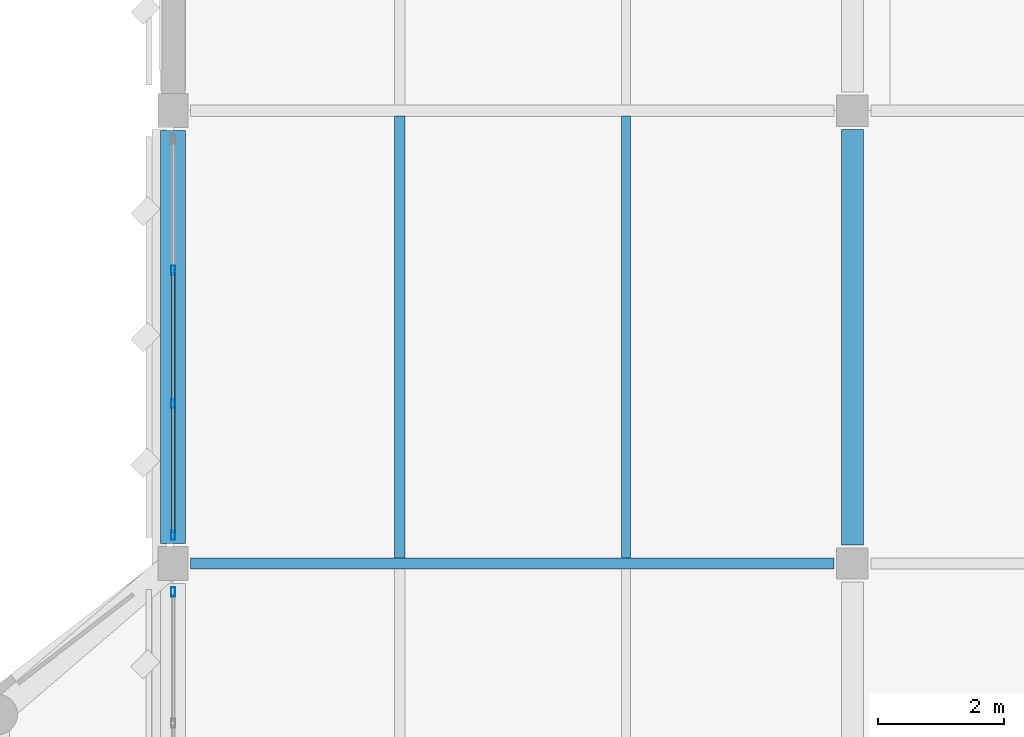
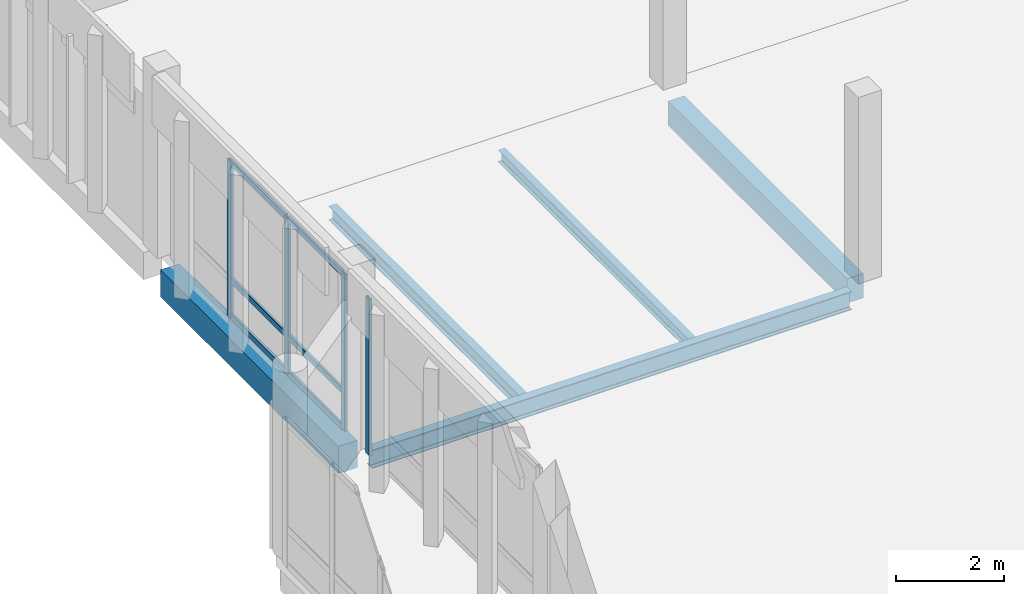
# One storey, part 15 of 72: 10 members, 5 beams, 2 elements without a shape of their own.
"""IFC4 building model written with IfcOpenShell, lengths in metres."""

from ifc_helpers import new_model, si_unit, direction, frame, origin, origin_2d, place, context, subcontext, project, spatial, rectangle, hollow_rectangle, i_section, extrude, material, material_profile, profile_set, type_object, element, aggregate, save


model = new_model("IFC4")

# Units and contexts
model_context = context("Model", 3, precision=1e-05, world=origin(), true_north=direction((0.0, 1.0)))
body_context = subcontext(model_context, "Body", "Model", "MODEL_VIEW")
ifc_project = project(units=[si_unit("LENGTHUNIT", "METRE"), si_unit("AREAUNIT", "SQUARE_METRE"), si_unit("VOLUMEUNIT", "CUBIC_METRE"), si_unit("PLANEANGLEUNIT", "RADIAN"), si_unit("MASSUNIT", "GRAM", prefix="KILO")], contexts=[model_context])

# Site, building, storey
site_placement = place(None, origin())
site = spatial("IfcSite", under=ifc_project, at=site_placement, CompositionType="ELEMENT")
building_placement = place(site_placement, origin())
building = spatial("IfcBuilding", under=site, at=building_placement, Name="Lusvemor Sports Hall", CompositionType="ELEMENT")
storey_placement = place(building_placement, frame((0.0, 0.0, 15.0)))
storey = spatial("IfcBuildingStorey", under=building, at=storey_placement, Name="L03", CompositionType="ELEMENT", Elevation=15.0)

# Beams
ifc_material_1 = material(Name="Concrete C40/50", Category="concrete")
ifc_material_profile_1 = material_profile(ifc_material_1, rectangle(XDim=0.35009765625, YDim=0.550048828125, at=origin_2d()), Name="RC350x550")
ifc_profile_set_1 = profile_set([ifc_material_profile_1], Name="Concrete C40/50")
beam_type_1 = type_object("IfcBeamType", Name="BEAM_RC_550", PredefinedType="BEAM", material=ifc_profile_set_1)
beam_1_placement = place(storey_placement, frame((10.800048828125, 90.2958984375, -0.514892578125), z_axis=(0.0, 1.0, 0.0), x_axis=(-1.0, 0.0, 0.0)))
element("IfcBeam", 1, at=beam_1_placement, inside=storey, type_object=beam_type_1, Name="Beam L03 2:M-N", PredefinedType="BEAM", context=body_context, shape_type="SweptSolid", body=[
    extrude(rectangle(XDim=0.35009765625, YDim=0.550048828125, at=origin_2d()), origin(), (0.0, 0.0, 1.0), 6.608154296875),
])
ifc_material_2 = material(Name="Steel S355", Category="steel")
ifc_material_profile_2 = material_profile(ifc_material_2, i_section(OverallWidth=0.180908203125, OverallDepth=0.4169921875, WebThickness=0.010986328125, FlangeThickness=0.018310546875, FilletRadius=0.01611328125, at=origin_2d()), Name="W410x85.0")
ifc_profile_set_2 = profile_set([ifc_material_profile_2], Name="Steel S355")
beam_type_2 = type_object("IfcBeamType", Name="BEAM_ST_410H", PredefinedType="BEAM", material=ifc_profile_set_2)
beam_2_placement = place(storey_placement, frame((0.27587890625, 90.0, -0.452392578125), z_axis=(1.0, 0.0, 0.0), x_axis=(0.0, 1.0, 0.0)))
element("IfcBeam", 2, at=beam_2_placement, inside=storey, type_object=beam_type_2, Name="Beam L03 M:1-2", PredefinedType="BEAM", context=body_context, shape_type="SweptSolid", body=[
    extrude(i_section(OverallWidth=0.180908203125, OverallDepth=0.4169921875, WebThickness=0.010986328125, FlangeThickness=0.018310546875, FilletRadius=0.01611328125, at=origin_2d()), origin(), (0.0, 0.0, 1.0), 10.22802734375),
])

# Curtain wall, member
ifc_material_3 = material(Name="Thermally broken bronze-anodized aluminium", Category="aluminium")
curtain_wall_type = type_object("IfcCurtainWallType", Name="CW_WING_B", PredefinedType="NOTDEFINED", material=ifc_material_3)
curtain_wall_1_placement = place(storey_placement, origin())
curtain_wall_1 = element("IfcCurtainWall", 3, at=curtain_wall_1_placement, inside=storey, type_object=curtain_wall_type, Name="Curtain Wall CW-L03-W-0-4", PredefinedType="NOTDEFINED")
ifc_material_4 = material(Name="Thermally broken bronze-anodized aluminium", Category="aluminium")
ifc_material_profile_3 = material_profile(ifc_material_4, hollow_rectangle(XDim=0.06494140625, YDim=0.14990234375, WallThickness=0.00390625, InnerFilletRadius=0.00390625, OuterFilletRadius=0.008056640625, at=origin_2d()), Name="CWMUL150x65x4")
ifc_profile_set_3 = profile_set([ifc_material_profile_3], Name="Thermally broken bronze-anodized aluminium")
member_type_1 = type_object("IfcMemberType", Name="CW_MUL_B", PredefinedType="MULLION", material=ifc_profile_set_3)
member_1_placement = place(storey_placement, frame((0.0, 89.547607421875, 0.0), z_axis=(0.0, 0.0, 1.0), x_axis=(-1.0, 0.0, 0.0)))
member_1 = element("IfcMember", 4, at=member_1_placement, type_object=member_type_1, Name="CW02 mullion 4", PredefinedType="MULLION", context=body_context, shape_type="SweptSolid", body=[
    extrude(hollow_rectangle(XDim=0.06494140625, YDim=0.14990234375, WallThickness=0.00390625, InnerFilletRadius=0.00390625, OuterFilletRadius=0.008056640625, at=origin_2d()), origin(), (0.0, 0.0, 1.0), 3.52001953125),
])
aggregate(curtain_wall_1, [member_1])

# Curtain wall, members
curtain_wall_2_placement = place(storey_placement, origin())
curtain_wall_2 = element("IfcCurtainWall", 5, at=curtain_wall_2_placement, inside=storey, type_object=curtain_wall_type, Name="Curtain Wall CW-L03-W-0-5", PredefinedType="NOTDEFINED")
member_2_placement = place(storey_placement, frame((0.0, 90.452392578125, 0.0), z_axis=(0.0, 0.0, 1.0), x_axis=(-1.0, 0.0, 0.0)))
member_2 = element("IfcMember", 6, at=member_2_placement, type_object=member_type_1, Name="CW02 mullion 1", PredefinedType="MULLION", context=body_context, shape_type="SweptSolid", body=[
    extrude(hollow_rectangle(XDim=0.06494140625, YDim=0.14990234375, WallThickness=0.00390625, InnerFilletRadius=0.00390625, OuterFilletRadius=0.008056640625, at=origin_2d()), origin(), (0.0, 0.0, 1.0), 3.52001953125),
])
member_3_placement = place(storey_placement, frame((0.0, 92.5400390625, 0.0), z_axis=(0.0, 0.0, 1.0), x_axis=(-1.0, 0.0, 0.0)))
member_3 = element("IfcMember", 7, at=member_3_placement, type_object=member_type_1, Name="CW02 mullion 2", PredefinedType="MULLION", context=body_context, shape_type="SweptSolid", body=[
    extrude(hollow_rectangle(XDim=0.06494140625, YDim=0.14990234375, WallThickness=0.00390625, InnerFilletRadius=0.00390625, OuterFilletRadius=0.008056640625, at=origin_2d()), origin(), (0.0, 0.0, 1.0), 3.52001953125),
])
member_4_placement = place(storey_placement, frame((0.0, 94.659912109375, 0.0), z_axis=(0.0, 0.0, 1.0), x_axis=(-1.0, 0.0, 0.0)))
member_4 = element("IfcMember", 8, at=member_4_placement, type_object=member_type_1, Name="CW02 mullion 3", PredefinedType="MULLION", context=body_context, shape_type="SweptSolid", body=[
    extrude(hollow_rectangle(XDim=0.06494140625, YDim=0.14990234375, WallThickness=0.00390625, InnerFilletRadius=0.00390625, OuterFilletRadius=0.008056640625, at=origin_2d()), origin(), (0.0, 0.0, 1.0), 3.52001953125),
])
ifc_material_5 = material(Name="Thermally broken bronze-anodized aluminium", Category="aluminium")
ifc_material_profile_4 = material_profile(ifc_material_5, hollow_rectangle(XDim=0.06005859375, YDim=0.135009765625, WallThickness=0.00390625, InnerFilletRadius=0.00390625, OuterFilletRadius=0.008056640625, at=origin_2d()), Name="CWTRN135x60x4")
ifc_profile_set_4 = profile_set([ifc_material_profile_4], Name="Thermally broken bronze-anodized aluminium")
member_type_2 = type_object("IfcMemberType", Name="CW_TRN_B", PredefinedType="USERDEFINED", material=ifc_profile_set_4)
member_5_placement = place(storey_placement, frame((0.0, 90.485107421875, 0.030029296875), z_axis=(0.0, 1.0, 0.0), x_axis=(-1.0, 0.0, 0.0)))
member_5 = element("IfcMember", 9, at=member_5_placement, type_object=member_type_2, Name="CW02 transom 1.1", ObjectType="TRANSOM", PredefinedType="USERDEFINED", context=body_context, shape_type="SweptSolid", body=[
    extrude(hollow_rectangle(XDim=0.06005859375, YDim=0.135009765625, WallThickness=0.00390625, InnerFilletRadius=0.00390625, OuterFilletRadius=0.008056640625, at=origin_2d()), origin(), (0.0, 0.0, 1.0), 2.0224609375),
])
member_6_placement = place(storey_placement, frame((0.0, 90.485107421875, 0.85009765625), z_axis=(0.0, 1.0, 0.0), x_axis=(-1.0, 0.0, 0.0)))
member_6 = element("IfcMember", 10, at=member_6_placement, type_object=member_type_2, Name="CW02 transom 1.2", ObjectType="TRANSOM", PredefinedType="USERDEFINED", context=body_context, shape_type="SweptSolid", body=[
    extrude(hollow_rectangle(XDim=0.06005859375, YDim=0.135009765625, WallThickness=0.00390625, InnerFilletRadius=0.00390625, OuterFilletRadius=0.008056640625, at=origin_2d()), origin(), (0.0, 0.0, 1.0), 2.0224609375),
])
member_7_placement = place(storey_placement, frame((0.0, 90.485107421875, 3.489990234375), z_axis=(0.0, 1.0, 0.0), x_axis=(-1.0, 0.0, 0.0)))
member_7 = element("IfcMember", 11, at=member_7_placement, type_object=member_type_2, Name="CW02 transom 1.3", ObjectType="TRANSOM", PredefinedType="USERDEFINED", context=body_context, shape_type="SweptSolid", body=[
    extrude(hollow_rectangle(XDim=0.06005859375, YDim=0.135009765625, WallThickness=0.00390625, InnerFilletRadius=0.00390625, OuterFilletRadius=0.008056640625, at=origin_2d()), origin(), (0.0, 0.0, 1.0), 2.0224609375),
])
member_8_placement = place(storey_placement, frame((0.0, 92.572509765625, 0.030029296875), z_axis=(0.0, 1.0, 0.0), x_axis=(-1.0, 0.0, 0.0)))
member_8 = element("IfcMember", 12, at=member_8_placement, type_object=member_type_2, Name="CW02 transom 2.1", ObjectType="TRANSOM", PredefinedType="USERDEFINED", context=body_context, shape_type="SweptSolid", body=[
    extrude(hollow_rectangle(XDim=0.06005859375, YDim=0.135009765625, WallThickness=0.00390625, InnerFilletRadius=0.00390625, OuterFilletRadius=0.008056640625, at=origin_2d()), origin(), (0.0, 0.0, 1.0), 2.054931640625),
])
member_9_placement = place(storey_placement, frame((0.0, 92.572509765625, 0.85009765625), z_axis=(0.0, 1.0, 0.0), x_axis=(-1.0, 0.0, 0.0)))
member_9 = element("IfcMember", 13, at=member_9_placement, type_object=member_type_2, Name="CW02 transom 2.2", ObjectType="TRANSOM", PredefinedType="USERDEFINED", context=body_context, shape_type="SweptSolid", body=[
    extrude(hollow_rectangle(XDim=0.06005859375, YDim=0.135009765625, WallThickness=0.00390625, InnerFilletRadius=0.00390625, OuterFilletRadius=0.008056640625, at=origin_2d()), origin(), (0.0, 0.0, 1.0), 2.054931640625),
])
member_10_placement = place(storey_placement, frame((0.0, 92.572509765625, 3.489990234375), z_axis=(0.0, 1.0, 0.0), x_axis=(-1.0, 0.0, 0.0)))
member_10 = element("IfcMember", 14, at=member_10_placement, type_object=member_type_2, Name="CW02 transom 2.3", ObjectType="TRANSOM", PredefinedType="USERDEFINED", context=body_context, shape_type="SweptSolid", body=[
    extrude(hollow_rectangle(XDim=0.06005859375, YDim=0.135009765625, WallThickness=0.00390625, InnerFilletRadius=0.00390625, OuterFilletRadius=0.008056640625, at=origin_2d()), origin(), (0.0, 0.0, 1.0), 2.054931640625),
])
aggregate(curtain_wall_2, [member_2, member_3, member_4, member_5, member_6, member_7, member_8, member_9, member_10])

# Beams
ifc_material_6 = material(Name="Steel S355", Category="steel")
ifc_material_profile_5 = material_profile(ifc_material_6, i_section(OverallWidth=0.14794921875, OverallDepth=0.26611328125, WebThickness=0.007568359375, FlangeThickness=0.012939453125, FilletRadius=0.012939453125, at=origin_2d()), Name="W250x44.8")
ifc_profile_set_5 = profile_set([ifc_material_profile_5], Name="Steel S355")
beam_type_3 = type_object("IfcBeamType", Name="JOIST_ST_250M", PredefinedType="JOIST", material=ifc_profile_set_5)
beam_3_placement = place(storey_placement, frame((7.199951171875, 90.08642578125, -0.376953125), z_axis=(0.0, 1.0, 0.0), x_axis=(-1.0, 0.0, 0.0)))
element("IfcBeam", 15, at=beam_3_placement, inside=storey, type_object=beam_type_3, Name="Secondary Joist L03 1-2/M-N #2", PredefinedType="JOIST", context=body_context, shape_type="SweptSolid", body=[
    extrude(i_section(OverallWidth=0.14794921875, OverallDepth=0.26611328125, WebThickness=0.007568359375, FlangeThickness=0.012939453125, FilletRadius=0.012939453125, at=origin_2d()), origin(), (0.0, 0.0, 1.0), 7.027099609375),
])
ifc_material_7 = material(Name="Steel S355", Category="steel")
ifc_material_profile_6 = material_profile(ifc_material_7, i_section(OverallWidth=0.1669921875, OverallDepth=0.31689453125, WebThickness=0.007568359375, FlangeThickness=0.01318359375, FilletRadius=0.014892578125, at=origin_2d()), Name="W310x52.0")
ifc_profile_set_6 = profile_set([ifc_material_profile_6], Name="Steel S355")
beam_type_4 = type_object("IfcBeamType", Name="JOIST_ST_310M", PredefinedType="JOIST", material=ifc_profile_set_6)
beam_4_placement = place(storey_placement, frame((3.60009765625, 90.08642578125, -0.402587890625), z_axis=(0.0, 1.0, 0.0), x_axis=(-1.0, 0.0, 0.0)))
element("IfcBeam", 16, at=beam_4_placement, inside=storey, type_object=beam_type_4, Name="Secondary Joist L03 1-2/M-N #1", PredefinedType="JOIST", context=body_context, shape_type="SweptSolid", body=[
    extrude(i_section(OverallWidth=0.1669921875, OverallDepth=0.31689453125, WebThickness=0.007568359375, FlangeThickness=0.01318359375, FilletRadius=0.014892578125, at=origin_2d()), origin(), (0.0, 0.0, 1.0), 7.027099609375),
])
ifc_material_8 = material(Name="Concrete C40/50", Category="concrete")
ifc_material_profile_7 = material_profile(ifc_material_8, rectangle(XDim=0.39990234375, YDim=0.610107421875, at=origin_2d()), Name="RC400x610")
ifc_profile_set_7 = profile_set([ifc_material_profile_7], Name="Concrete C40/50")
beam_type_5 = type_object("IfcBeamType", Name="SPAND_EXT_650", PredefinedType="SPANDREL", material=ifc_profile_set_7)
beam_5_placement = place(storey_placement, frame((0.0, 90.31591796875, -0.544921875), z_axis=(0.0, 1.0, 0.0), x_axis=(-1.0, 0.0, 0.0)))
element("IfcBeam", 17, at=beam_5_placement, inside=storey, type_object=beam_type_5, Name="Beam L03 1:M-N", PredefinedType="SPANDREL", context=body_context, shape_type="SweptSolid", body=[
    extrude(rectangle(XDim=0.39990234375, YDim=0.610107421875, at=origin_2d()), origin(), (0.0, 0.0, 1.0), 6.568115234375),
])

save(model, "model.ifc")
